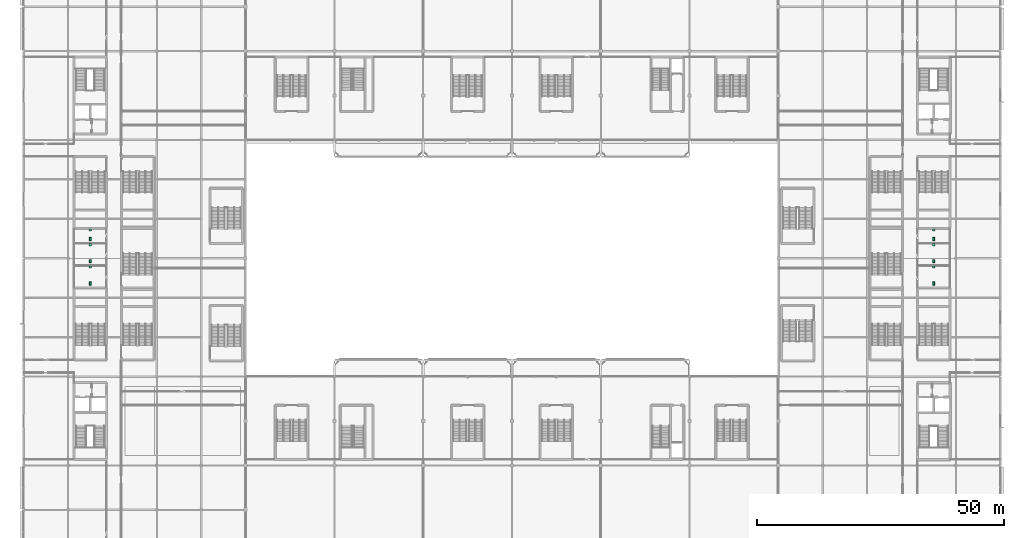
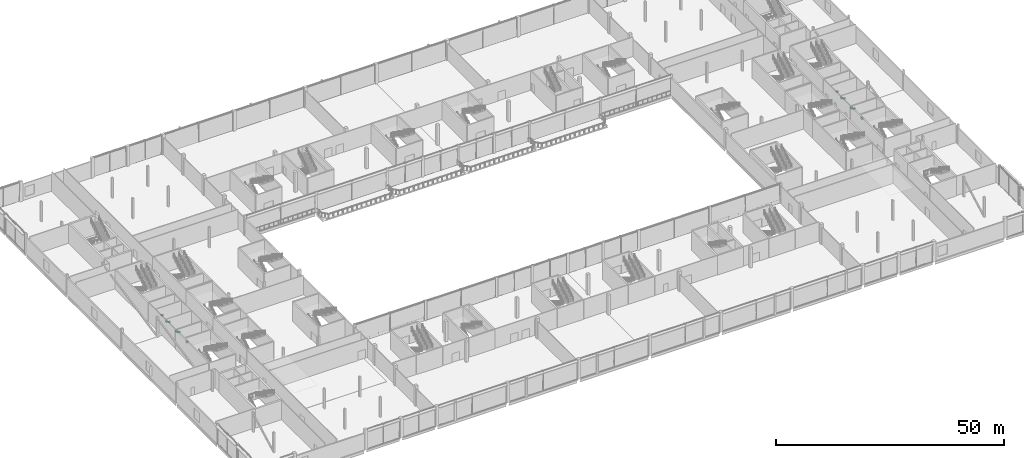
# One storey, part 113 of 113: 12 sanitary terminals.
"""IFC4 building model written with IfcOpenShell, lengths in metres."""

from ifc_helpers import new_model, si_unit, direction, frame, origin, origin_2d, place, context, subcontext, project, spatial, rectangle, extrude, material, type_object, element, save


model = new_model("IFC4")

# Units and contexts
model_context = context("Model", 3, precision=1e-05, world=origin(), true_north=direction((0.0, 1.0)))
body_context = subcontext(model_context, "Body", "Model", "MODEL_VIEW")
ifc_project = project(units=[si_unit("LENGTHUNIT", "METRE"), si_unit("AREAUNIT", "SQUARE_METRE"), si_unit("VOLUMEUNIT", "CUBIC_METRE"), si_unit("PLANEANGLEUNIT", "RADIAN"), si_unit("MASSUNIT", "GRAM", prefix="KILO")], contexts=[model_context])

# Site, building, storey
site_placement = place(None, origin())
site = spatial("IfcSite", under=ifc_project, at=site_placement, CompositionType="ELEMENT")
building_placement = place(site_placement, origin())
building = spatial("IfcBuilding", under=site, at=building_placement, Name="Kisiwana Market Hall", CompositionType="ELEMENT")
storey_placement = place(building_placement, frame((0.0, 0.0, 6.0)))
storey = spatial("IfcBuildingStorey", under=building, at=storey_placement, Name="L01", CompositionType="ELEMENT", Elevation=6.0)

# Sanitary terminals
ifc_material_1 = material(Name="Vitreous china")
sanitary_terminal_type_1 = type_object("IfcSanitaryTerminalType", Name="SAN-BASIN", PredefinedType="WASHHANDBASIN", material=ifc_material_1)
for number, where, z_axis, x_axis, name in (
    (1, (13.5, 58.25, 0.68017578125), (0.0, 0.0, 1.0), (1.0, 0.0, 0.0), "Washhand basin L01-0013"),
    (2, (13.5, 62.75, 0.68017578125), (0.0, 0.0, 1.0), (1.0, 0.0, 0.0), "Washhand basin L01-0014"),
    (3, (13.5, 65.75, 0.68017578125), (0.0, 0.0, 1.0), (1.0, 0.0, 0.0), "Washhand basin L01-0015"),
    (4, (184.5, 58.25, 0.68017578125), (0.0, 0.0, 1.0), (1.0, 0.0, 0.0), "Washhand basin L01-0016"),
    (5, (184.5, 62.75, 0.68017578125), (0.0, 0.0, 1.0), (1.0, 0.0, 0.0), "Washhand basin L01-0017"),
    (6, (184.5, 65.75, 0.68017578125), (0.0, 0.0, 1.0), (1.0, 0.0, 0.0), "Washhand basin L01-0018"),
):
    element("IfcSanitaryTerminal", number, at=place(storey_placement, frame(where, z_axis=z_axis, x_axis=x_axis)), inside=storey, type_object=sanitary_terminal_type_1, Name=name, PredefinedType="WASHHANDBASIN", context=body_context, shape_type="SweptSolid", body=[
        extrude(rectangle(XDim=0.550048828125, YDim=0.449951171875, at=origin_2d()), origin(), (0.0, 0.0, 1.0), 0.199951171875),
    ])
ifc_material_2 = material(Name="Vitreous china")
sanitary_terminal_type_2 = type_object("IfcSanitaryTerminalType", Name="SAN-WC-PAN", PredefinedType="TOILETPAN", material=ifc_material_2)
for number, where, z_axis, x_axis, name in (
    (7, (13.5, 54.89990234375, 0.0), (0.0, 0.0, 1.0), (1.0, 0.0, 0.0), "WC pan L01-0013"),
    (8, (13.5, 59.39990234375, 0.0), (0.0, 0.0, 1.0), (1.0, 0.0, 0.0), "WC pan L01-0014"),
    (9, (13.5, 63.89990234375, 0.0), (0.0, 0.0, 1.0), (1.0, 0.0, 0.0), "WC pan L01-0015"),
    (10, (184.5, 54.89990234375, 0.0), (0.0, 0.0, 1.0), (1.0, 0.0, 0.0), "WC pan L01-0016"),
    (11, (184.5, 59.39990234375, 0.0), (0.0, 0.0, 1.0), (1.0, 0.0, 0.0), "WC pan L01-0017"),
    (12, (184.5, 63.89990234375, 0.0), (0.0, 0.0, 1.0), (1.0, 0.0, 0.0), "WC pan L01-0018"),
):
    element("IfcSanitaryTerminal", number, at=place(storey_placement, frame(where, z_axis=z_axis, x_axis=x_axis)), inside=storey, type_object=sanitary_terminal_type_2, Name=name, PredefinedType="TOILETPAN", context=body_context, shape_type="SweptSolid", body=[
        extrude(rectangle(XDim=0.39990234375, YDim=0.64990234375, at=origin_2d()), origin(), (0.0, 0.0, 1.0), 0.419921875),
    ])

save(model, "model.ifc")
